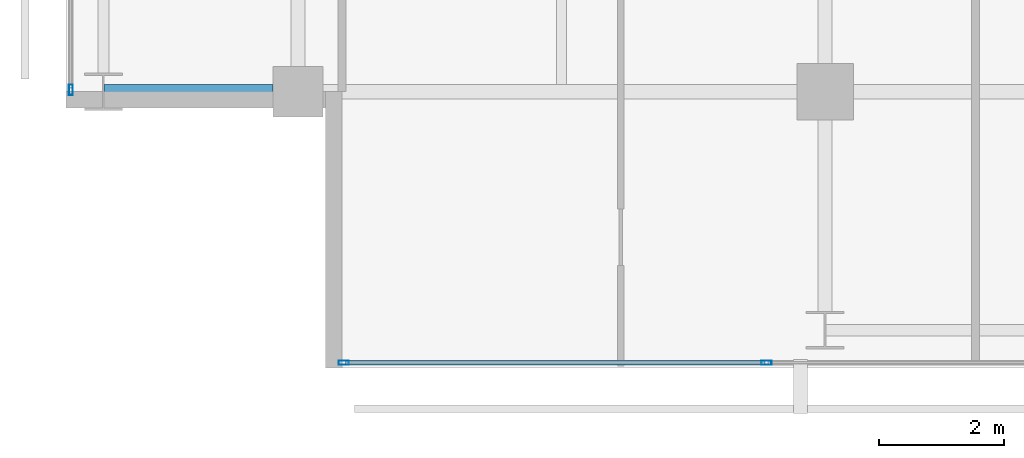
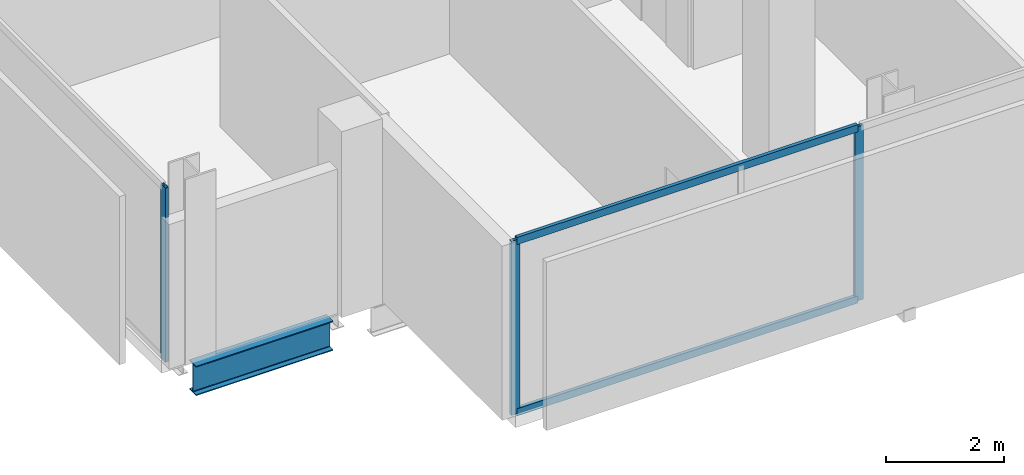
# One storey, part 2 of 33: 5 members, 1 beam, 2 elements without a shape of their own.
"""IFC4 building model written with IfcOpenShell, lengths in metres."""

from ifc_helpers import new_model, si_unit, direction, frame, origin, origin_2d, place, context, subcontext, project, spatial, hollow_rectangle, i_section, extrude, material, layer, layer_set, material_profile, profile_set, type_object, element, aggregate, save


model = new_model("IFC4")

# Units and contexts
model_context = context("Model", 3, precision=1e-05, world=origin(), true_north=direction((0.0, 1.0)))
body_context = subcontext(model_context, "Body", "Model", "MODEL_VIEW")
ifc_project = project(units=[si_unit("LENGTHUNIT", "METRE"), si_unit("AREAUNIT", "SQUARE_METRE"), si_unit("VOLUMEUNIT", "CUBIC_METRE"), si_unit("PLANEANGLEUNIT", "RADIAN"), si_unit("MASSUNIT", "GRAM", prefix="KILO")], contexts=[model_context])

# Site, building, storey
site_placement = place(None, origin())
site = spatial("IfcSite", under=ifc_project, at=site_placement, CompositionType="ELEMENT")
building_placement = place(site_placement, origin())
building = spatial("IfcBuilding", under=site, at=building_placement, Name="Maruvema Waterfront Hotel and Observation Tower", CompositionType="ELEMENT")
storey_placement = place(building_placement, frame((0.0, 0.0, 138.949951171875)))
storey = spatial("IfcBuildingStorey", under=building, at=storey_placement, Name="L33", CompositionType="ELEMENT", Elevation=138.949951171875)

# Curtain wall, members
ifc_material_1 = material(Name="Anodised bronze aluminium and solar-control low-E IGU", Category="aluminium")
ifc_layer = layer(ifc_material_1, 0.159912109375, Name="Zone 2 Amber Inner Thermal Curtain Wall System CW-03")
ifc_layer_set = layer_set([ifc_layer], Name="Anodised bronze aluminium and solar-control low-E IGU")
curtain_wall_type = type_object("IfcCurtainWallType", Name="Zone 2 Amber Inner Thermal Curtain Wall System CW-03", PredefinedType="USERDEFINED", material=ifc_layer_set)
curtain_wall_1_placement = place(storey_placement, origin())
curtain_wall_1 = element("IfcCurtainWall", 1, at=curtain_wall_1_placement, inside=storey, type_object=curtain_wall_type, Name="L33 Curtain Wall CW-L33-S", ObjectType="UNITISED CURTAIN WALL", PredefinedType="USERDEFINED")
ifc_material_2 = material(Name="Anodised architectural bronze aluminium", Category="aluminium")
ifc_material_profile_1 = material_profile(ifc_material_2, hollow_rectangle(XDim=0.070068359375, YDim=0.14990234375, WallThickness=0.00390625, at=origin_2d()), Name="ALU-T70x150")
ifc_profile_set_1 = profile_set([ifc_material_profile_1], Name="Anodised architectural bronze aluminium")
member_type_1 = type_object("IfcMemberType", Name="Curtain Wall Horizontal Transom ALU-T70x150", PredefinedType="USERDEFINED", material=ifc_profile_set_1)
member_1_placement = place(storey_placement, frame((17.56005859375, 4.679931640625, 0.030029296875), z_axis=(1.0, 0.0, 0.0), x_axis=(0.0, 1.0, 0.0)))
member_1 = element("IfcMember", 2, at=member_1_placement, type_object=member_type_1, Name="CW-03 transom 1.1", ObjectType="TRANSOM", PredefinedType="USERDEFINED", context=body_context, shape_type="SweptSolid", body=[
    extrude(hollow_rectangle(XDim=0.070068359375, YDim=0.14990234375, WallThickness=0.00390625, at=origin_2d()), origin(), (0.0, 0.0, 1.0), 6.676513671875),
])
member_2_placement = place(storey_placement, frame((17.56005859375, 4.679931640625, 3.580078125), z_axis=(1.0, 0.0, 0.0), x_axis=(0.0, 1.0, 0.0)))
member_2 = element("IfcMember", 3, at=member_2_placement, type_object=member_type_1, Name="CW-03 transom 1.2", ObjectType="TRANSOM", PredefinedType="USERDEFINED", context=body_context, shape_type="SweptSolid", body=[
    extrude(hollow_rectangle(XDim=0.070068359375, YDim=0.14990234375, WallThickness=0.00390625, at=origin_2d()), origin(), (0.0, 0.0, 1.0), 6.676513671875),
])
ifc_material_3 = material(Name="Anodised architectural bronze aluminium", Category="aluminium")
ifc_material_profile_2 = material_profile(ifc_material_3, hollow_rectangle(XDim=0.06494140625, YDim=0.1650390625, WallThickness=0.00390625, at=origin_2d()), Name="ALU-M65x165")
ifc_profile_set_2 = profile_set([ifc_material_profile_2], Name="Anodised architectural bronze aluminium")
member_type_2 = type_object("IfcMemberType", Name="Curtain Wall Primary Mullion ALU-M65x165", PredefinedType="MULLION", material=ifc_profile_set_2)
member_3_placement = place(storey_placement, frame((17.530029296875, 4.679931640625, 0.0), z_axis=(0.0, 0.0, 1.0), x_axis=(0.0, 1.0, 0.0)))
member_3 = element("IfcMember", 4, at=member_3_placement, type_object=member_type_2, Name="CW-03 mullion 1", PredefinedType="MULLION", context=body_context, shape_type="SweptSolid", body=[
    extrude(hollow_rectangle(XDim=0.06494140625, YDim=0.1650390625, WallThickness=0.00390625, at=origin_2d()), origin(), (0.0, 0.0, 1.0), 3.610107421875),
])
member_4_placement = place(storey_placement, frame((24.2666015625, 4.679931640625, 0.0), z_axis=(0.0, 0.0, 1.0), x_axis=(0.0, 1.0, 0.0)))
member_4 = element("IfcMember", 5, at=member_4_placement, type_object=member_type_2, Name="CW-03 mullion 2", PredefinedType="MULLION", context=body_context, shape_type="SweptSolid", body=[
    extrude(hollow_rectangle(XDim=0.06494140625, YDim=0.1650390625, WallThickness=0.00390625, at=origin_2d()), origin(), (0.0, 0.0, 1.0), 3.610107421875),
])
aggregate(curtain_wall_1, [member_3, member_4, member_1, member_2])

# Curtain wall, member
curtain_wall_2_placement = place(storey_placement, origin())
curtain_wall_2 = element("IfcCurtainWall", 6, at=curtain_wall_2_placement, inside=storey, type_object=curtain_wall_type, Name="L33 Curtain Wall CW-L33-W", ObjectType="UNITISED CURTAIN WALL", PredefinedType="USERDEFINED")
member_5_placement = place(storey_placement, frame((13.179931640625, 9.030029296875, 0.0), z_axis=(0.0, 0.0, 1.0), x_axis=(1.0, 0.0, 0.0)))
member_5 = element("IfcMember", 7, at=member_5_placement, type_object=member_type_2, Name="CW-03 mullion 7", PredefinedType="MULLION", context=body_context, shape_type="SweptSolid", body=[
    extrude(hollow_rectangle(XDim=0.06494140625, YDim=0.1650390625, WallThickness=0.00390625, at=origin_2d()), origin(), (0.0, 0.0, 1.0), 3.610107421875),
])
aggregate(curtain_wall_2, [member_5])

# Beam
ifc_material_4 = material(Name="Steel ASTM A572 Grade 50", Category="steel")
ifc_material_profile_3 = material_profile(ifc_material_4, i_section(OverallWidth=0.22900390625, OverallDepth=0.612060546875, WebThickness=0.011962890625, FlangeThickness=0.01953125, FilletRadius=0.01806640625, at=origin_2d()), Name="W610x125.0")
ifc_profile_set_3 = profile_set([ifc_material_profile_3], Name="Steel ASTM A572 Grade 50")
beam_type = type_object("IfcBeamType", Name="Primary Floor Girder W610x125.0", PredefinedType="BEAM", material=ifc_profile_set_3)
beam_placement = place(storey_placement, frame((13.71240234375, 9.0, -0.5458984375), z_axis=(1.0, 0.0, 0.0), x_axis=(0.0, 1.0, 0.0)))
element("IfcBeam", 8, at=beam_placement, inside=storey, type_object=beam_type, Name="L33 Floor Girder EW-04", PredefinedType="BEAM", context=body_context, shape_type="SweptSolid", body=[
    extrude(i_section(OverallWidth=0.22900390625, OverallDepth=0.612060546875, WebThickness=0.011962890625, FlangeThickness=0.01953125, FilletRadius=0.01806640625, at=origin_2d()), origin(), (0.0, 0.0, 1.0), 2.6875),
])

save(model, "model.ifc")
